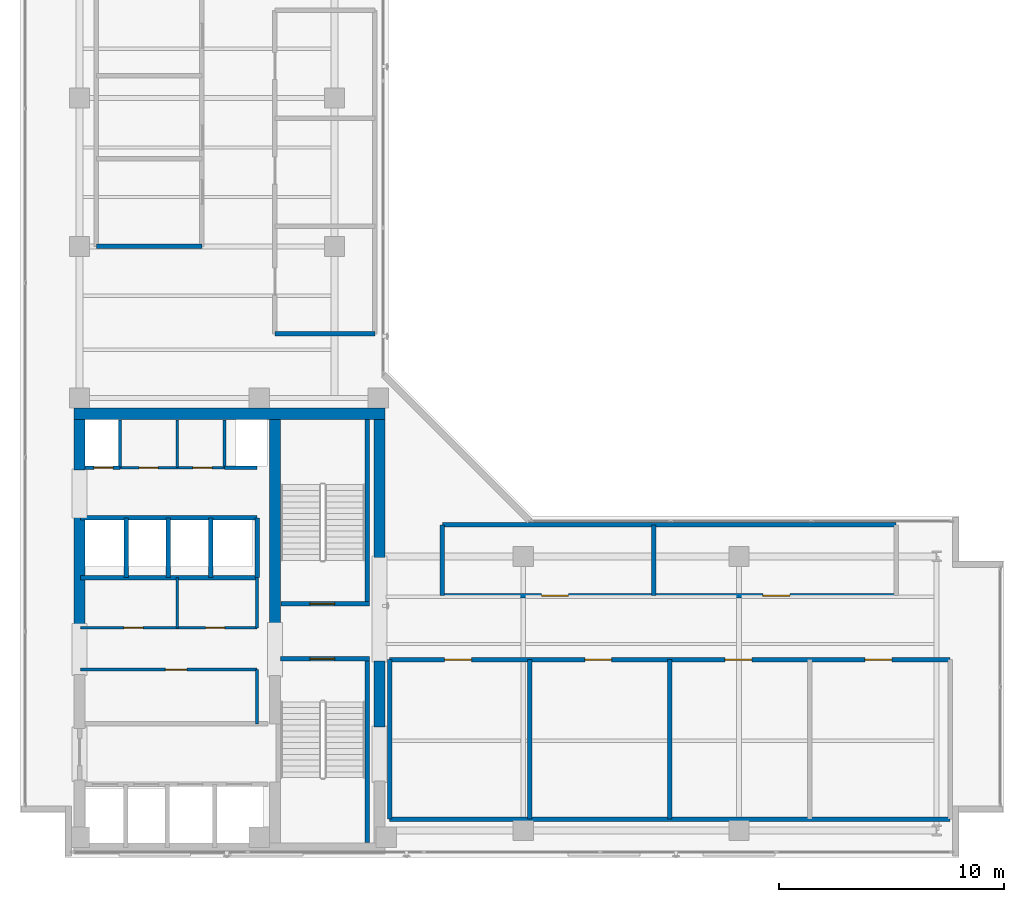
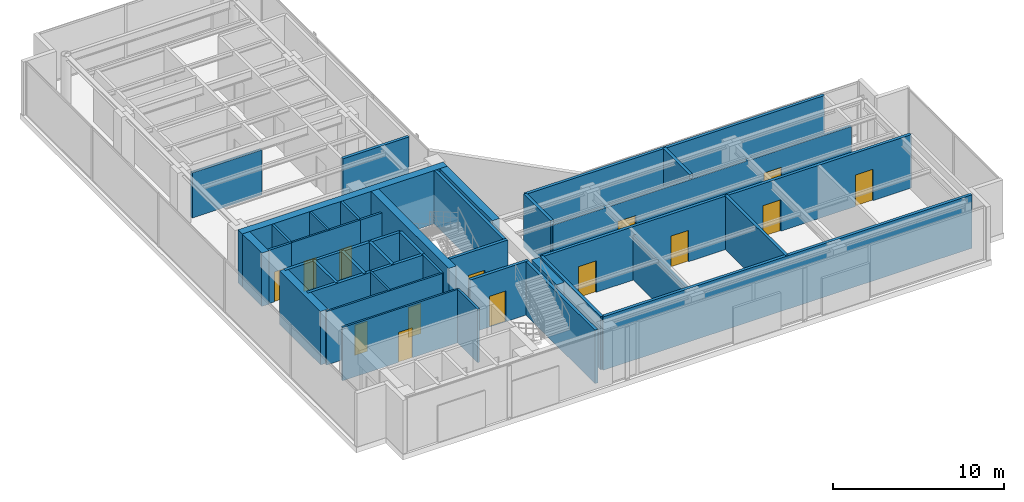
# One storey, part 20 of 24: 38 walls, 14 doors, 14 openings.
"""IFC4 building model written with IfcOpenShell, lengths in metres."""

from ifc_helpers import new_model, si_unit, direction, frame, frame_2d, origin, place, context, subcontext, project, spatial, rectangle, extrude, material, layer, layer_set, type_object, element, fill, save


model = new_model("IFC4")

# Units and contexts
model_context = context("Model", 3, precision=1e-05, world=origin(), true_north=direction((0.0, 1.0)))
body_context = subcontext(model_context, "Body", "Model", "MODEL_VIEW")
ifc_project = project(units=[si_unit("LENGTHUNIT", "METRE"), si_unit("AREAUNIT", "SQUARE_METRE"), si_unit("VOLUMEUNIT", "CUBIC_METRE"), si_unit("PLANEANGLEUNIT", "RADIAN"), si_unit("MASSUNIT", "GRAM", prefix="KILO")], contexts=[model_context])

# Site, building, storey
site_placement = place(None, origin())
site = spatial("IfcSite", under=ifc_project, at=site_placement, CompositionType="ELEMENT")
building_placement = place(site_placement, origin())
building = spatial("IfcBuilding", under=site, at=building_placement, Name="Kolvaren Waterfront Exchange", CompositionType="ELEMENT")
storey_placement = place(building_placement, frame((0.0, 0.0, 356.199951171875)))
storey = spatial("IfcBuildingStorey", under=building, at=storey_placement, Name="L91", CompositionType="ELEMENT", Elevation=356.199951171875)

# Wall, opening, door
ifc_material_1 = material(Name="Precast concrete C40/50", Category="concrete")
ifc_layer_1 = layer(ifc_material_1, 0.199951171875, Name="Precast concrete C40/50")
ifc_layer_set_1 = layer_set([ifc_layer_1], Name="Precast concrete C40/50")
wall_type_1 = type_object("IfcWallType", Name="ARC-FIRE-200", PredefinedType="PARTITIONING", material=ifc_layer_set_1)
wall_1_placement = place(storey_placement, frame((16.39990234375, 12.85009765625, 0.0), z_axis=(0.0, 0.0, 1.0), x_axis=(1.0, 0.0, 0.0)))
wall_1 = element("IfcWall", 1, at=wall_1_placement, inside=storey, type_object=wall_type_1, Name="L91 interior wall PW-L91-ST1-THROAT-S", PredefinedType="PARTITIONING", context=body_context, shape_type="SweptSolid", body=[
    extrude(rectangle(XDim=3.960205078125, YDim=0.199951171875, at=frame_2d((1.97998046875, 0.0))), origin(), (0.0, 0.0, 1.0), 3.820068359375),
])
opening_1_placement = place(wall_1_placement, frame((1.3037109375, 0.0, 0.0)))
opening_1 = element("IfcOpeningElement", 2, at=opening_1_placement, cuts=wall_1, Name="Opening FD2", PredefinedType="OPENING", context=body_context, shape_type="SweptSolid", body=[
    extrude(rectangle(XDim=1.10009765625, YDim=2.199951171875, at=frame_2d((0.550048828125, 1.10009765625))), frame((0.0, 0.10986328125, 0.0), z_axis=(0.0, -1.0, 0.0), x_axis=(1.0, 0.0, 0.0)), (0.0, 0.0, 1.0), 0.219970703125),
])
ifc_material_2 = material(Name="Pressed steel smoke-seal fire door", Category="steel")
door_type_1 = type_object("IfcDoorType", Name="ARC-FD-1100", OperationType="NOTDEFINED", PredefinedType="DOOR", material=ifc_material_2)
door_1_placement = place(opening_1_placement, frame((1.10009765625, 0.0, 0.0), z_axis=(0.0, 0.0, 1.0), x_axis=(-1.0, 0.0, 0.0)))
door_1 = element("IfcDoor", 3, at=door_1_placement, inside=storey, type_object=door_type_1, Name="L91 door DR-L91-ST1-IN (FD2)", OperationType="SINGLE_SWING_RIGHT", OverallHeight=2.199951171875, OverallWidth=1.10009765625, PredefinedType="DOOR", context=body_context, shape_type="SweptSolid", body=[
    extrude(rectangle(XDim=1.10009765625, YDim=2.199951171875, at=frame_2d((0.550048828125, 1.10009765625))), frame((0.0, 0.02490234375, 0.0), z_axis=(0.0, -1.0, 0.0), x_axis=(1.0, 0.0, 0.0)), (0.0, 0.0, 1.0), 0.050048828125),
])
fill(opening_1, door_1)

wall_2_placement = place(storey_placement, frame((16.409912109375, 15.300048828125, 0.0), z_axis=(0.0, 0.0, 1.0), x_axis=(1.0, 0.0, 0.0)))
wall_2 = element("IfcWall", 4, at=wall_2_placement, inside=storey, type_object=wall_type_1, Name="L91 interior wall PW-L91-ST2-THROAT-N", PredefinedType="PARTITIONING", context=body_context, shape_type="SweptSolid", body=[
    extrude(rectangle(XDim=3.9501953125, YDim=0.199951171875, at=frame_2d((1.97509765625, 0.0))), origin(), (0.0, 0.0, 1.0), 3.820068359375),
])
opening_2_placement = place(wall_2_placement, frame((1.293701171875, 0.0, 0.0)))
opening_2 = element("IfcOpeningElement", 5, at=opening_2_placement, cuts=wall_2, Name="Opening FD2", PredefinedType="OPENING", context=body_context, shape_type="SweptSolid", body=[
    extrude(rectangle(XDim=1.10009765625, YDim=2.199951171875, at=frame_2d((0.550048828125, 1.10009765625))), frame((0.0, 0.10986328125, 0.0), z_axis=(0.0, -1.0, 0.0), x_axis=(1.0, 0.0, 0.0)), (0.0, 0.0, 1.0), 0.219970703125),
])
door_2_placement = place(opening_2_placement, origin())
door_2 = element("IfcDoor", 6, at=door_2_placement, inside=storey, type_object=door_type_1, Name="L91 door DR-L91-ST2-IN (FD2)", OperationType="SINGLE_SWING_LEFT", OverallHeight=2.199951171875, OverallWidth=1.10009765625, PredefinedType="DOOR", context=body_context, shape_type="SweptSolid", body=[
    extrude(rectangle(XDim=1.10009765625, YDim=2.199951171875, at=frame_2d((0.550048828125, 1.10009765625))), frame((0.0, 0.02490234375, 0.0), z_axis=(0.0, -1.0, 0.0), x_axis=(1.0, 0.0, 0.0)), (0.0, 0.0, 1.0), 0.050048828125),
])
fill(opening_2, door_2)

# Wall, openings, doors
wall_3_placement = place(storey_placement, frame((23.60009765625, 15.64990234375, 0.0), z_axis=(0.0, 0.0, 1.0), x_axis=(1.0, 0.0, 0.0)))
wall_3 = element("IfcWall", 7, at=wall_3_placement, inside=storey, type_object=wall_type_1, Name="L91 interior wall PW-L91-NEPL-S", PredefinedType="PARTITIONING", context=body_context, shape_type="SweptSolid", body=[
    extrude(rectangle(XDim=20.199951171875, YDim=0.199951171875, at=frame_2d((10.10009765625, 0.0))), origin(), (0.0, 0.0, 1.0), 3.52001953125),
])
opening_3_placement = place(wall_3_placement, frame((4.414306640625, 0.0, 0.0)))
opening_3 = element("IfcOpeningElement", 8, at=opening_3_placement, cuts=wall_3, Name="Opening FD3", PredefinedType="OPENING", context=body_context, shape_type="SweptSolid", body=[
    extrude(rectangle(XDim=1.199951171875, YDim=2.25, at=frame_2d((0.60009765625, 1.125))), frame((0.0, 0.10986328125, 0.0), z_axis=(0.0, -1.0, 0.0), x_axis=(1.0, 0.0, 0.0)), (0.0, 0.0, 1.0), 0.219970703125),
])
opening_4_placement = place(wall_3_placement, frame((14.2705078125, 0.0, 0.0)))
opening_4 = element("IfcOpeningElement", 9, at=opening_4_placement, cuts=wall_3, Name="Opening FD3", PredefinedType="OPENING", context=body_context, shape_type="SweptSolid", body=[
    extrude(rectangle(XDim=1.199951171875, YDim=2.25, at=frame_2d((0.60009765625, 1.125))), frame((0.0, 0.10986328125, 0.0), z_axis=(0.0, -1.0, 0.0), x_axis=(1.0, 0.0, 0.0)), (0.0, 0.0, 1.0), 0.219970703125),
])
ifc_material_3 = material(Name="Pressed steel fire door", Category="steel")
door_type_2 = type_object("IfcDoorType", Name="ARC-FD-1200", OperationType="NOTDEFINED", PredefinedType="DOOR", material=ifc_material_3)
door_3_placement = place(opening_3_placement, origin())
door_3 = element("IfcDoor", 10, at=door_3_placement, inside=storey, type_object=door_type_2, Name="L91 door DR-L91-NEPL1-D (FD3)", OperationType="SINGLE_SWING_LEFT", OverallHeight=2.25, OverallWidth=1.199951171875, PredefinedType="DOOR", context=body_context, shape_type="SweptSolid", body=[
    extrude(rectangle(XDim=1.199951171875, YDim=2.25, at=frame_2d((0.60009765625, 1.125))), frame((0.0, 0.02490234375, 0.0), z_axis=(0.0, -1.0, 0.0), x_axis=(1.0, 0.0, 0.0)), (0.0, 0.0, 1.0), 0.050048828125),
])
fill(opening_3, door_3)
door_4_placement = place(opening_4_placement, origin())
door_4 = element("IfcDoor", 11, at=door_4_placement, inside=storey, type_object=door_type_2, Name="L91 door DR-L91-NEPL2-D (FD3)", OperationType="SINGLE_SWING_RIGHT", OverallHeight=2.25, OverallWidth=1.199951171875, PredefinedType="DOOR", context=body_context, shape_type="SweptSolid", body=[
    extrude(rectangle(XDim=1.199951171875, YDim=2.25, at=frame_2d((0.60009765625, 1.125))), frame((0.0, 0.02490234375, 0.0), z_axis=(0.0, -1.0, 0.0), x_axis=(1.0, 0.0, 0.0)), (0.0, 0.0, 1.0), 0.050048828125),
])
fill(opening_4, door_4)

# Walls
wall_4_placement = place(storey_placement, frame((23.60009765625, 15.64990234375, 0.0), z_axis=(0.0, 0.0, 1.0), x_axis=(0.0, 1.0, 0.0)))
element("IfcWall", 12, at=wall_4_placement, inside=storey, type_object=wall_type_1, Name="L91 interior wall PW-L91-NEPL-W", PredefinedType="PARTITIONING", context=body_context, shape_type="SweptSolid", body=[
    extrude(rectangle(XDim=3.150146484375, YDim=0.199951171875, at=frame_2d((1.5751953125, 0.0))), origin(), (0.0, 0.0, 1.0), 3.820068359375),
])
wall_5_placement = place(storey_placement, frame((23.60009765625, 18.800048828125, 0.0), z_axis=(0.0, 0.0, 1.0), x_axis=(1.0, 0.0, 0.0)))
element("IfcWall", 13, at=wall_5_placement, inside=storey, type_object=wall_type_1, Name="L91 interior wall PW-L91-NEPL-N", PredefinedType="PARTITIONING", context=body_context, shape_type="SweptSolid", body=[
    extrude(rectangle(XDim=20.199951171875, YDim=0.199951171875, at=frame_2d((10.10009765625, 0.0))), origin(), (0.0, 0.0, 1.0), 3.820068359375),
])
wall_6_placement = place(storey_placement, frame((33.0, 15.64990234375, 0.0), z_axis=(0.0, 0.0, 1.0), x_axis=(0.0, 1.0, 0.0)))
element("IfcWall", 14, at=wall_6_placement, inside=storey, type_object=wall_type_1, Name="L91 interior wall PW-L91-NEPL-M", PredefinedType="PARTITIONING", context=body_context, shape_type="SweptSolid", body=[
    extrude(rectangle(XDim=3.150146484375, YDim=0.199951171875, at=frame_2d((1.5751953125, 0.0))), origin(), (0.0, 0.0, 1.0), 3.820068359375),
])

# Wall, openings, doors
wall_7_placement = place(storey_placement, frame((21.25, 12.800048828125, 0.0), z_axis=(0.0, 0.0, 1.0), x_axis=(1.0, 0.0, 0.0)))
wall_7 = element("IfcWall", 15, at=wall_7_placement, inside=storey, type_object=wall_type_1, Name="L91 interior wall PW-L91-PL-N1", PredefinedType="PARTITIONING", context=body_context, shape_type="SweptSolid", body=[
    extrude(rectangle(XDim=24.949951171875, YDim=0.199951171875, at=frame_2d((12.47509765625, 0.0))), origin(), (0.0, 0.0, 1.0), 3.820068359375),
])
opening_5_placement = place(wall_7_placement, frame((2.448486328125, 0.0, 0.0)))
opening_5 = element("IfcOpeningElement", 16, at=opening_5_placement, cuts=wall_7, Name="Opening FD3", PredefinedType="OPENING", context=body_context, shape_type="SweptSolid", body=[
    extrude(rectangle(XDim=1.199951171875, YDim=2.25, at=frame_2d((0.60009765625, 1.125))), frame((0.0, 0.10986328125, 0.0), z_axis=(0.0, -1.0, 0.0), x_axis=(1.0, 0.0, 0.0)), (0.0, 0.0, 1.0), 0.219970703125),
])
opening_6_placement = place(wall_7_placement, frame((8.688720703125, 0.0, 0.0)))
opening_6 = element("IfcOpeningElement", 17, at=opening_6_placement, cuts=wall_7, Name="Opening FD3", PredefinedType="OPENING", context=body_context, shape_type="SweptSolid", body=[
    extrude(rectangle(XDim=1.199951171875, YDim=2.25, at=frame_2d((0.60009765625, 1.125))), frame((0.0, 0.10986328125, 0.0), z_axis=(0.0, -1.0, 0.0), x_axis=(1.0, 0.0, 0.0)), (0.0, 0.0, 1.0), 0.219970703125),
])
opening_7_placement = place(wall_7_placement, frame((14.923828125, 0.0, 0.0)))
opening_7 = element("IfcOpeningElement", 18, at=opening_7_placement, cuts=wall_7, Name="Opening FD3", PredefinedType="OPENING", context=body_context, shape_type="SweptSolid", body=[
    extrude(rectangle(XDim=1.199951171875, YDim=2.25, at=frame_2d((0.60009765625, 1.125))), frame((0.0, 0.10986328125, 0.0), z_axis=(0.0, -1.0, 0.0), x_axis=(1.0, 0.0, 0.0)), (0.0, 0.0, 1.0), 0.219970703125),
])
opening_8_placement = place(wall_7_placement, frame((21.15869140625, 0.0, 0.0)))
opening_8 = element("IfcOpeningElement", 19, at=opening_8_placement, cuts=wall_7, Name="Opening FD3", PredefinedType="OPENING", context=body_context, shape_type="SweptSolid", body=[
    extrude(rectangle(XDim=1.199951171875, YDim=2.25, at=frame_2d((0.60009765625, 1.125))), frame((0.0, 0.10986328125, 0.0), z_axis=(0.0, -1.0, 0.0), x_axis=(1.0, 0.0, 0.0)), (0.0, 0.0, 1.0), 0.219970703125),
])
door_5_placement = place(opening_5_placement, origin())
door_5 = element("IfcDoor", 20, at=door_5_placement, inside=storey, type_object=door_type_2, Name="L91 door DR-L91-PLES-D1 (FD3)", OperationType="SINGLE_SWING_LEFT", OverallHeight=2.25, OverallWidth=1.199951171875, PredefinedType="DOOR", context=body_context, shape_type="SweptSolid", body=[
    extrude(rectangle(XDim=1.199951171875, YDim=2.25, at=frame_2d((0.60009765625, 1.125))), frame((0.0, 0.02490234375, 0.0), z_axis=(0.0, -1.0, 0.0), x_axis=(1.0, 0.0, 0.0)), (0.0, 0.0, 1.0), 0.050048828125),
])
fill(opening_5, door_5)
door_6_placement = place(opening_6_placement, origin())
door_6 = element("IfcDoor", 21, at=door_6_placement, inside=storey, type_object=door_type_2, Name="L91 door DR-L91-PLES-D2 (FD3)", OperationType="SINGLE_SWING_RIGHT", OverallHeight=2.25, OverallWidth=1.199951171875, PredefinedType="DOOR", context=body_context, shape_type="SweptSolid", body=[
    extrude(rectangle(XDim=1.199951171875, YDim=2.25, at=frame_2d((0.60009765625, 1.125))), frame((0.0, 0.02490234375, 0.0), z_axis=(0.0, -1.0, 0.0), x_axis=(1.0, 0.0, 0.0)), (0.0, 0.0, 1.0), 0.050048828125),
])
fill(opening_6, door_6)
door_7_placement = place(opening_7_placement, origin())
door_7 = element("IfcDoor", 22, at=door_7_placement, inside=storey, type_object=door_type_2, Name="L91 door DR-L91-PLES-D3 (FD3)", OperationType="SINGLE_SWING_LEFT", OverallHeight=2.25, OverallWidth=1.199951171875, PredefinedType="DOOR", context=body_context, shape_type="SweptSolid", body=[
    extrude(rectangle(XDim=1.199951171875, YDim=2.25, at=frame_2d((0.60009765625, 1.125))), frame((0.0, 0.02490234375, 0.0), z_axis=(0.0, -1.0, 0.0), x_axis=(1.0, 0.0, 0.0)), (0.0, 0.0, 1.0), 0.050048828125),
])
fill(opening_7, door_7)
door_8_placement = place(opening_8_placement, origin())
door_8 = element("IfcDoor", 23, at=door_8_placement, inside=storey, type_object=door_type_2, Name="L91 door DR-L91-PLES-D4 (FD3)", OperationType="SINGLE_SWING_RIGHT", OverallHeight=2.25, OverallWidth=1.199951171875, PredefinedType="DOOR", context=body_context, shape_type="SweptSolid", body=[
    extrude(rectangle(XDim=1.199951171875, YDim=2.25, at=frame_2d((0.60009765625, 1.125))), frame((0.0, 0.02490234375, 0.0), z_axis=(0.0, -1.0, 0.0), x_axis=(1.0, 0.0, 0.0)), (0.0, 0.0, 1.0), 0.050048828125),
])
fill(opening_8, door_8)

# Walls
wall_8_placement = place(storey_placement, frame((21.25, 5.699951171875, 0.0), z_axis=(0.0, 0.0, 1.0), x_axis=(0.0, 1.0, 0.0)))
element("IfcWall", 24, at=wall_8_placement, inside=storey, type_object=wall_type_1, Name="L91 interior wall PW-L91-PL-W1", PredefinedType="PARTITIONING", context=body_context, shape_type="SweptSolid", body=[
    extrude(rectangle(XDim=7.10009765625, YDim=0.199951171875, at=frame_2d((3.550048828125, 0.0))), origin(), (0.0, 0.0, 1.0), 3.820068359375),
])
wall_9_placement = place(storey_placement, frame((21.25, 5.699951171875, 0.0), z_axis=(0.0, 0.0, 1.0), x_axis=(1.0, 0.0, 0.0)))
element("IfcWall", 25, at=wall_9_placement, inside=storey, type_object=wall_type_1, Name="L91 interior wall PW-L91-PL-S1", PredefinedType="PARTITIONING", context=body_context, shape_type="SweptSolid", body=[
    extrude(rectangle(XDim=24.949951171875, YDim=0.199951171875, at=frame_2d((12.47509765625, 0.0))), origin(), (0.0, 0.0, 1.0), 3.820068359375),
])
wall_10_placement = place(storey_placement, frame((27.489990234375, 5.699951171875, 0.0), z_axis=(0.0, 0.0, 1.0), x_axis=(0.0, 1.0, 0.0)))
element("IfcWall", 26, at=wall_10_placement, inside=storey, type_object=wall_type_1, Name="L91 interior wall PW-L91-PL-M1-1", PredefinedType="PARTITIONING", context=body_context, shape_type="SweptSolid", body=[
    extrude(rectangle(XDim=7.10009765625, YDim=0.199951171875, at=frame_2d((3.550048828125, 0.0))), origin(), (0.0, 0.0, 1.0), 3.219970703125),
])
wall_11_placement = place(storey_placement, frame((33.72998046875, 5.699951171875, 0.0), z_axis=(0.0, 0.0, 1.0), x_axis=(0.0, 1.0, 0.0)))
element("IfcWall", 27, at=wall_11_placement, inside=storey, type_object=wall_type_1, Name="L91 interior wall PW-L91-PL-M1-2", PredefinedType="PARTITIONING", context=body_context, shape_type="SweptSolid", body=[
    extrude(rectangle(XDim=7.10009765625, YDim=0.199951171875, at=frame_2d((3.550048828125, 0.0))), origin(), (0.0, 0.0, 1.0), 3.820068359375),
])
wall_12_placement = place(storey_placement, frame((8.199951171875, 31.199951171875, 0.0), z_axis=(0.0, 0.0, 1.0), x_axis=(1.0, 0.0, 0.0)))
element("IfcWall", 28, at=wall_12_placement, inside=storey, type_object=wall_type_1, Name="L91 interior wall PW-L91-PL-S3", PredefinedType="PARTITIONING", context=body_context, shape_type="SweptSolid", body=[
    extrude(rectangle(XDim=4.699951171875, YDim=0.199951171875, at=frame_2d((2.35009765625, 0.0))), origin(), (0.0, 0.0, 1.0), 3.219970703125),
])
wall_13_placement = place(storey_placement, frame((16.14990234375, 27.300048828125, 0.0), z_axis=(0.0, 0.0, 1.0), x_axis=(1.0, 0.0, 0.0)))
element("IfcWall", 29, at=wall_13_placement, inside=storey, type_object=wall_type_1, Name="L91 interior wall PW-L91-PL-S4", PredefinedType="PARTITIONING", context=body_context, shape_type="SweptSolid", body=[
    extrude(rectangle(XDim=4.4501953125, YDim=0.199951171875, at=frame_2d((2.22509765625, 0.0))), origin(), (0.0, 0.0, 1.0), 3.820068359375),
])

# Wall, opening, door
ifc_material_4 = material(Name="Acoustic gypsum steel stud", Category="steel")
ifc_layer_2 = layer(ifc_material_4, 0.125, Name="Acoustic gypsum steel stud")
ifc_layer_set_2 = layer_set([ifc_layer_2], Name="Acoustic gypsum steel stud")
wall_type_2 = type_object("IfcWallType", Name="ARC-PART-125", PredefinedType="PARTITIONING", material=ifc_layer_set_2)
wall_14_placement = place(storey_placement, frame((7.5, 12.360107421875, 0.0), z_axis=(0.0, 0.0, 1.0), x_axis=(1.0, 0.0, 0.0)))
wall_14 = element("IfcWall", 30, at=wall_14_placement, inside=storey, type_object=wall_type_2, Name="L91 interior wall PW-L91-REC-HI-S", PredefinedType="PARTITIONING", context=body_context, shape_type="SweptSolid", body=[
    extrude(rectangle(XDim=7.85009765625, YDim=0.125, at=frame_2d((3.925048828125, 0.0))), origin(), (0.0, 0.0, 1.0), 3.820068359375),
])
opening_9_placement = place(wall_14_placement, frame((3.77490234375, 0.0, 0.0)))
opening_9 = element("IfcOpeningElement", 31, at=opening_9_placement, cuts=wall_14, Name="Opening D02", PredefinedType="OPENING", context=body_context, shape_type="SweptSolid", body=[
    extrude(rectangle(XDim=0.949951171875, YDim=2.14990234375, at=frame_2d((0.47509765625, 1.074951171875))), frame((0.0, 0.072509765625, 0.0), z_axis=(0.0, -1.0, 0.0), x_axis=(1.0, 0.0, 0.0)), (0.0, 0.0, 1.0), 0.14501953125),
])
ifc_material_5 = material(Name="Oak veneer acoustic timber", Category="wood")
door_type_3 = type_object("IfcDoorType", Name="ARC-DR-950", OperationType="NOTDEFINED", PredefinedType="DOOR", material=ifc_material_5)
door_9_placement = place(opening_9_placement, origin())
door_9 = element("IfcDoor", 32, at=door_9_placement, inside=storey, type_object=door_type_3, Name="L91 door DR-L91-REC-HI-D1 (D02)", OperationType="SINGLE_SWING_LEFT", OverallHeight=2.14990234375, OverallWidth=0.949951171875, PredefinedType="DOOR", context=body_context, shape_type="SweptSolid", body=[
    extrude(rectangle(XDim=0.949951171875, YDim=2.14990234375, at=frame_2d((0.47509765625, 1.074951171875))), frame((0.0, 0.02490234375, 0.0), z_axis=(0.0, -1.0, 0.0), x_axis=(1.0, 0.0, 0.0)), (0.0, 0.0, 1.0), 0.050048828125),
])
fill(opening_9, door_9)

# Wall, openings, doors
wall_15_placement = place(storey_placement, frame((7.5, 14.219970703125, 0.0), z_axis=(0.0, 0.0, 1.0), x_axis=(1.0, 0.0, 0.0)))
wall_15 = element("IfcWall", 33, at=wall_15_placement, inside=storey, type_object=wall_type_2, Name="L91 interior wall PW-L91-REC-HI-N", PredefinedType="PARTITIONING", context=body_context, shape_type="SweptSolid", body=[
    extrude(rectangle(XDim=7.85009765625, YDim=0.125, at=frame_2d((3.925048828125, 0.0))), origin(), (0.0, 0.0, 1.0), 3.820068359375),
])
opening_10_placement = place(wall_15_placement, frame((1.925048828125, 0.0, 0.0)))
opening_10 = element("IfcOpeningElement", 34, at=opening_10_placement, cuts=wall_15, Name="Opening D01", PredefinedType="OPENING", context=body_context, shape_type="SweptSolid", body=[
    extrude(rectangle(XDim=0.85009765625, YDim=2.14990234375, at=frame_2d((0.425048828125, 1.074951171875))), frame((0.0, 0.072509765625, 0.0), z_axis=(0.0, -1.0, 0.0), x_axis=(1.0, 0.0, 0.0)), (0.0, 0.0, 1.0), 0.14501953125),
])
opening_11_placement = place(wall_15_placement, frame((5.56298828125, 0.0, 0.0)))
opening_11 = element("IfcOpeningElement", 35, at=opening_11_placement, cuts=wall_15, Name="Opening D01", PredefinedType="OPENING", context=body_context, shape_type="SweptSolid", body=[
    extrude(rectangle(XDim=0.85009765625, YDim=2.14990234375, at=frame_2d((0.425048828125, 1.074951171875))), frame((0.0, 0.072509765625, 0.0), z_axis=(0.0, -1.0, 0.0), x_axis=(1.0, 0.0, 0.0)), (0.0, 0.0, 1.0), 0.14501953125),
])
ifc_material_6 = material(Name="Oak veneer timber leaf", Category="wood")
door_type_4 = type_object("IfcDoorType", Name="ARC-DR-900", OperationType="NOTDEFINED", PredefinedType="DOOR", material=ifc_material_6)
door_10_placement = place(opening_10_placement, origin())
door_10 = element("IfcDoor", 36, at=door_10_placement, inside=storey, type_object=door_type_4, Name="L91 door DR-L91-REC-HI-D2 (D01)", OperationType="SINGLE_SWING_RIGHT", OverallHeight=2.14990234375, OverallWidth=0.85009765625, PredefinedType="DOOR", context=body_context, shape_type="SweptSolid", body=[
    extrude(rectangle(XDim=0.85009765625, YDim=2.14990234375, at=frame_2d((0.425048828125, 1.074951171875))), frame((0.0, 0.02490234375, 0.0), z_axis=(0.0, -1.0, 0.0), x_axis=(1.0, 0.0, 0.0)), (0.0, 0.0, 1.0), 0.050048828125),
])
fill(opening_10, door_10)
door_11_placement = place(opening_11_placement, origin())
door_11 = element("IfcDoor", 37, at=door_11_placement, inside=storey, type_object=door_type_4, Name="L91 door DR-L91-REC-HI-D3 (D01)", OperationType="SINGLE_SWING_LEFT", OverallHeight=2.14990234375, OverallWidth=0.85009765625, PredefinedType="DOOR", context=body_context, shape_type="SweptSolid", body=[
    extrude(rectangle(XDim=0.85009765625, YDim=2.14990234375, at=frame_2d((0.425048828125, 1.074951171875))), frame((0.0, 0.02490234375, 0.0), z_axis=(0.0, -1.0, 0.0), x_axis=(1.0, 0.0, 0.0)), (0.0, 0.0, 1.0), 0.050048828125),
])
fill(opening_11, door_11)

# Wall
wall_16_placement = place(storey_placement, frame((11.800048828125, 14.219970703125, 0.0), z_axis=(0.0, 0.0, 1.0), x_axis=(0.0, 1.0, 0.0)))
element("IfcWall", 38, at=wall_16_placement, inside=storey, type_object=wall_type_2, Name="L91 interior wall PW-L91-REC-HI-MN2", PredefinedType="PARTITIONING", context=body_context, shape_type="SweptSolid", body=[
    extrude(rectangle(XDim=2.22998046875, YDim=0.125, at=frame_2d((1.114990234375, 0.0))), origin(), (0.0, 0.0, 1.0), 3.820068359375),
])

# Wall, openings, doors
wall_17_placement = place(storey_placement, frame((9.25, 21.35009765625, 0.0), z_axis=(0.0, 0.0, 1.0), x_axis=(1.0, 0.0, 0.0)))
wall_17 = element("IfcWall", 39, at=wall_17_placement, inside=storey, type_object=wall_type_2, Name="L91 interior wall PW-L91-SVC-EX-S", PredefinedType="PARTITIONING", context=body_context, shape_type="SweptSolid", body=[
    extrude(rectangle(XDim=4.64990234375, YDim=0.125, at=frame_2d((2.324951171875, 0.0))), origin(), (0.0, 0.0, 1.0), 3.820068359375),
])
opening_12_placement = place(wall_17_placement, frame((0.85009765625, 0.0, 0.0)))
opening_12 = element("IfcOpeningElement", 40, at=opening_12_placement, cuts=wall_17, Name="Opening D01", PredefinedType="OPENING", context=body_context, shape_type="SweptSolid", body=[
    extrude(rectangle(XDim=0.85009765625, YDim=2.14990234375, at=frame_2d((0.425048828125, 1.074951171875))), frame((0.0, 0.072509765625, 0.0), z_axis=(0.0, -1.0, 0.0), x_axis=(1.0, 0.0, 0.0)), (0.0, 0.0, 1.0), 0.14501953125),
])
opening_13_placement = place(wall_17_placement, frame((3.25, 0.0, 0.0)))
opening_13 = element("IfcOpeningElement", 41, at=opening_13_placement, cuts=wall_17, Name="Opening D01", PredefinedType="OPENING", context=body_context, shape_type="SweptSolid", body=[
    extrude(rectangle(XDim=0.85009765625, YDim=2.14990234375, at=frame_2d((0.425048828125, 1.074951171875))), frame((0.0, 0.072509765625, 0.0), z_axis=(0.0, -1.0, 0.0), x_axis=(1.0, 0.0, 0.0)), (0.0, 0.0, 1.0), 0.14501953125),
])
door_12_placement = place(opening_12_placement, origin())
door_12 = element("IfcDoor", 42, at=door_12_placement, inside=storey, type_object=door_type_4, Name="L91 door DR-L91-SVC-DR-1 (D01)", OperationType="SINGLE_SWING_LEFT", OverallHeight=2.14990234375, OverallWidth=0.85009765625, PredefinedType="DOOR", context=body_context, shape_type="SweptSolid", body=[
    extrude(rectangle(XDim=0.85009765625, YDim=2.14990234375, at=frame_2d((0.425048828125, 1.074951171875))), frame((0.0, 0.02490234375, 0.0), z_axis=(0.0, -1.0, 0.0), x_axis=(1.0, 0.0, 0.0)), (0.0, 0.0, 1.0), 0.050048828125),
])
fill(opening_12, door_12)
door_13_placement = place(opening_13_placement, origin())
door_13 = element("IfcDoor", 43, at=door_13_placement, inside=storey, type_object=door_type_4, Name="L91 door DR-L91-SVC-DR-2 (D01)", OperationType="SINGLE_SWING_RIGHT", OverallHeight=2.14990234375, OverallWidth=0.85009765625, PredefinedType="DOOR", context=body_context, shape_type="SweptSolid", body=[
    extrude(rectangle(XDim=0.85009765625, YDim=2.14990234375, at=frame_2d((0.425048828125, 1.074951171875))), frame((0.0, 0.02490234375, 0.0), z_axis=(0.0, -1.0, 0.0), x_axis=(1.0, 0.0, 0.0)), (0.0, 0.0, 1.0), 0.050048828125),
])
fill(opening_13, door_13)

# Walls
wall_18_placement = place(storey_placement, frame((11.800048828125, 21.35009765625, 0.0), z_axis=(0.0, 0.0, 1.0), x_axis=(0.0, 1.0, 0.0)))
element("IfcWall", 44, at=wall_18_placement, inside=storey, type_object=wall_type_2, Name="L91 interior wall PW-L91-SVC-PL-M", PredefinedType="PARTITIONING", context=body_context, shape_type="SweptSolid", body=[
    extrude(rectangle(XDim=2.1298828125, YDim=0.125, at=frame_2d((1.06494140625, 0.0))), origin(), (0.0, 0.0, 1.0), 3.820068359375),
])
ifc_material_7 = material(Name="Gypsum fireboard steel stud", Category="steel")
ifc_layer_3 = layer(ifc_material_7, 0.14990234375, Name="Gypsum fireboard steel stud")
ifc_layer_set_3 = layer_set([ifc_layer_3], Name="Gypsum fireboard steel stud")
wall_type_3 = type_object("IfcWallType", Name="ARC-PART-150", PredefinedType="PARTITIONING", material=ifc_layer_set_3)
wall_19_placement = place(storey_placement, frame((15.35009765625, 9.949951171875, 0.0), z_axis=(0.0, 0.0, 1.0), x_axis=(0.0, 1.0, 0.0)))
element("IfcWall", 45, at=wall_19_placement, inside=storey, type_object=wall_type_3, Name="L91 interior wall PW-L91-REC-HI-E1", PredefinedType="PARTITIONING", context=body_context, shape_type="SweptSolid", body=[
    extrude(rectangle(XDim=2.41015625, YDim=0.14990234375, at=frame_2d((1.205078125, 0.0))), origin(), (0.0, 0.0, 1.0), 3.820068359375),
])
wall_20_placement = place(storey_placement, frame((15.35009765625, 14.219970703125, 0.0), z_axis=(0.0, 0.0, 1.0), x_axis=(0.0, 1.0, 0.0)))
element("IfcWall", 46, at=wall_20_placement, inside=storey, type_object=wall_type_3, Name="L91 interior wall PW-L91-REC-HI-E2", PredefinedType="PARTITIONING", context=body_context, shape_type="SweptSolid", body=[
    extrude(rectangle(XDim=2.22998046875, YDim=0.14990234375, at=frame_2d((1.114990234375, 0.0))), origin(), (0.0, 0.0, 1.0), 3.820068359375),
])
for number, where, z_axis, x_axis, name in (
    (47, (9.25, 21.35009765625, 0.0), (0.0, 0.0, 1.0), (0.0, 1.0, 0.0), "L91 interior wall PW-L91-SVC-R1"),
    (48, (13.89990234375, 21.35009765625, 0.0), (0.0, 0.0, 1.0), (0.0, 1.0, 0.0), "L91 interior wall PW-L91-SVC-R2"),
):
    element("IfcWall", number, at=place(storey_placement, frame(where, z_axis=z_axis, x_axis=x_axis)), inside=storey, type_object=wall_type_3, Name=name, PredefinedType="PARTITIONING", context=body_context, shape_type="SweptSolid", body=[
        extrude(rectangle(XDim=2.1298828125, YDim=0.14990234375, at=frame_2d((1.06494140625, 0.0))), origin(), (0.0, 0.0, 1.0), 3.820068359375),
    ])

# Wall, opening, door
wall_21_placement = place(storey_placement, frame((7.699951171875, 21.35009765625, 0.0), z_axis=(0.0, 0.0, 1.0), x_axis=(1.0, 0.0, 0.0)))
wall_21 = element("IfcWall", 49, at=wall_21_placement, inside=storey, type_object=wall_type_3, Name="L91 interior wall PW-L91-SVC-RE-S", PredefinedType="PARTITIONING", context=body_context, shape_type="SweptSolid", body=[
    extrude(rectangle(XDim=1.550048828125, YDim=0.14990234375, at=frame_2d((0.77490234375, 0.0))), origin(), (0.0, 0.0, 1.0), 3.820068359375),
])
opening_14_placement = place(wall_21_placement, frame((0.389892578125, 0.0, 0.0)))
opening_14 = element("IfcOpeningElement", 50, at=opening_14_placement, cuts=wall_21, Name="Opening FD1", PredefinedType="OPENING", context=body_context, shape_type="SweptSolid", body=[
    extrude(rectangle(XDim=0.85009765625, YDim=2.14990234375, at=frame_2d((0.425048828125, 1.074951171875))), frame((0.0, 0.0849609375, 0.0), z_axis=(0.0, -1.0, 0.0), x_axis=(1.0, 0.0, 0.0)), (0.0, 0.0, 1.0), 0.169921875),
])
ifc_material_8 = material(Name="Pressed steel fire leaf", Category="steel")
door_type_5 = type_object("IfcDoorType", Name="ARC-FD-900", OperationType="NOTDEFINED", PredefinedType="DOOR", material=ifc_material_8)
door_14_placement = place(opening_14_placement, origin())
door_14 = element("IfcDoor", 51, at=door_14_placement, inside=storey, type_object=door_type_5, Name="L91 door DR-L91-RISER-E-DR (FD1)", OperationType="SINGLE_SWING_RIGHT", OverallHeight=2.14990234375, OverallWidth=0.85009765625, PredefinedType="DOOR", context=body_context, shape_type="SweptSolid", body=[
    extrude(rectangle(XDim=0.85009765625, YDim=2.14990234375, at=frame_2d((0.425048828125, 1.074951171875))), frame((0.0, 0.02490234375, 0.0), z_axis=(0.0, -1.0, 0.0), x_axis=(1.0, 0.0, 0.0)), (0.0, 0.0, 1.0), 0.050048828125),
])
fill(opening_14, door_14)

# Walls
wall_22_placement = place(storey_placement, frame((13.89990234375, 21.35009765625, 0.0), z_axis=(0.0, 0.0, 1.0), x_axis=(1.0, 0.0, 0.0)))
element("IfcWall", 52, at=wall_22_placement, inside=storey, type_object=wall_type_3, Name="L91 interior wall PW-L91-SVC-RP-S", PredefinedType="PARTITIONING", context=body_context, shape_type="SweptSolid", body=[
    extrude(rectangle(XDim=1.4501953125, YDim=0.14990234375, at=frame_2d((0.72509765625, 0.0))), origin(), (0.0, 0.0, 1.0), 3.820068359375),
])
ifc_material_9 = material(Name="Concrete C40/50", Category="concrete")
ifc_layer_4 = layer(ifc_material_9, 0.199951171875, Name="Concrete C40/50")
ifc_layer_set_4 = layer_set([ifc_layer_4], Name="Concrete C40/50")
wall_type_4 = type_object("IfcWallType", Name="ARC-SHAFT-200", PredefinedType="PARTITIONING", material=ifc_layer_set_4)
for number, where, z_axis, x_axis, name in (
    (53, (20.260009765625, 4.659912109375, 0.0), (0.0, 0.0, 1.0), (0.0, 1.0, 0.0), "L91 structural stairwell wall PW-L91-ST1-E"),
    (54, (20.260009765625, 15.39990234375, 0.0), (0.0, 0.0, 1.0), (0.0, 1.0, 0.0), "L91 structural stairwell wall PW-L91-ST2-E"),
):
    element("IfcWall", number, at=place(storey_placement, frame(where, z_axis=z_axis, x_axis=x_axis)), inside=storey, type_object=wall_type_4, Name=name, PredefinedType="SHEAR", context=body_context, shape_type="SweptSolid", body=[
        extrude(rectangle(XDim=8.090087890625, YDim=0.199951171875, at=frame_2d((4.044921875, 0.0))), origin(), (0.0, 0.0, 1.0), 3.820068359375),
    ])
for number, where, z_axis, x_axis, name in (
    (55, (7.5, 16.449951171875, 0.0), (0.0, 0.0, 1.0), (1.0, 0.0, 0.0), "L91 interior wall PW-L91-REC-PM-N"),
    (56, (7.5, 19.1201171875, 0.0), (0.0, 0.0, 1.0), (1.0, 0.0, 0.0), "L91 interior wall PW-L91-PH-N"),
):
    element("IfcWall", number, at=place(storey_placement, frame(where, z_axis=z_axis, x_axis=x_axis)), inside=storey, type_object=wall_type_4, Name=name, PredefinedType="PARTITIONING", context=body_context, shape_type="SweptSolid", body=[
        extrude(rectangle(XDim=7.85009765625, YDim=0.199951171875, at=frame_2d((3.925048828125, 0.0))), origin(), (0.0, 0.0, 1.0), 3.820068359375),
    ])
for number, where, z_axis, x_axis, name in (
    (57, (15.35009765625, 16.449951171875, 0.0), (0.0, 0.0, 1.0), (0.0, 1.0, 0.0), "L91 interior wall PW-L91-PH-E"),
    (58, (9.52001953125, 16.449951171875, 0.0), (0.0, 0.0, 1.0), (0.0, 1.0, 0.0), "L91 interior wall PW-L91-SH4-DIV-95"),
    (59, (11.409912109375, 16.449951171875, 0.0), (0.0, 0.0, 1.0), (0.0, 1.0, 0.0), "L91 interior wall PW-L91-SH4-DIV-114"),
    (60, (13.300048828125, 16.449951171875, 0.0), (0.0, 0.0, 1.0), (0.0, 1.0, 0.0), "L91 interior wall PW-L91-SH4-DIV-133"),
):
    element("IfcWall", number, at=place(storey_placement, frame(where, z_axis=z_axis, x_axis=x_axis)), inside=storey, type_object=wall_type_4, Name=name, PredefinedType="PARTITIONING", context=body_context, shape_type="SweptSolid", body=[
        extrude(rectangle(XDim=2.670166015625, YDim=0.199951171875, at=frame_2d((1.3349609375, 0.0))), origin(), (0.0, 0.0, 1.0), 3.820068359375),
    ])
ifc_material_10 = material(Name="Concrete C50/60", Category="concrete")
ifc_layer_5 = layer(ifc_material_10, 0.5, Name="Concrete C50/60")
ifc_layer_set_5 = layer_set([ifc_layer_5], Name="Concrete C50/60")
wall_type_5 = type_object("IfcWallType", Name="STR-CWALL-500", PredefinedType="SHEAR", material=ifc_layer_set_5)
wall_23_placement = place(storey_placement, frame((7.199951171875, 23.75, 0.0), z_axis=(0.0, 0.0, 1.0), x_axis=(1.0, 0.0, 0.0)))
element("IfcWall", 61, at=wall_23_placement, inside=storey, type_object=wall_type_5, Name="L91 rear-core shear wall N", PredefinedType="SHEAR", context=body_context, shape_type="SweptSolid", body=[
    extrude(rectangle(XDim=13.85009765625, YDim=0.5, at=frame_2d((6.925048828125, 0.0))), origin(), (0.0, 0.0, 1.0), 3.820068359375),
])
wall_24_placement = place(storey_placement, frame((7.449951171875, 14.35009765625, 0.0), z_axis=(0.0, 0.0, 1.0), x_axis=(0.0, 1.0, 0.0)))
element("IfcWall", 62, at=wall_24_placement, inside=storey, type_object=wall_type_5, Name="L91 rear-core shear wall W2B", PredefinedType="SHEAR", context=body_context, shape_type="SweptSolid", body=[
    extrude(rectangle(XDim=4.809814453125, YDim=0.5, at=frame_2d((2.40478515625, 0.0))), origin(), (0.0, 0.0, 1.0), 3.820068359375),
])
wall_25_placement = place(storey_placement, frame((7.449951171875, 21.239990234375, 0.0), z_axis=(0.0, 0.0, 1.0), x_axis=(0.0, 1.0, 0.0)))
element("IfcWall", 63, at=wall_25_placement, inside=storey, type_object=wall_type_5, Name="L91 rear-core shear wall W3", PredefinedType="SHEAR", context=body_context, shape_type="SweptSolid", body=[
    extrude(rectangle(XDim=2.260009765625, YDim=0.5, at=frame_2d((1.1298828125, 0.0))), origin(), (0.0, 0.0, 1.0), 3.820068359375),
])
wall_26_placement = place(storey_placement, frame((20.800048828125, 9.800048828125, 0.0), z_axis=(0.0, 0.0, 1.0), x_axis=(0.0, 1.0, 0.0)))
element("IfcWall", 64, at=wall_26_placement, inside=storey, type_object=wall_type_5, Name="L91 rear-core shear wall E2", PredefinedType="SHEAR", context=body_context, shape_type="SweptSolid", body=[
    extrude(rectangle(XDim=2.949951171875, YDim=0.5, at=frame_2d((1.47509765625, 0.0))), origin(), (0.0, 0.0, 1.0), 3.820068359375),
])
wall_27_placement = place(storey_placement, frame((20.800048828125, 17.35009765625, 0.0), z_axis=(0.0, 0.0, 1.0), x_axis=(0.0, 1.0, 0.0)))
element("IfcWall", 65, at=wall_27_placement, inside=storey, type_object=wall_type_5, Name="L91 rear-core shear wall E3", PredefinedType="SHEAR", context=body_context, shape_type="SweptSolid", body=[
    extrude(rectangle(XDim=6.14990234375, YDim=0.5, at=frame_2d((3.074951171875, 0.0))), origin(), (0.0, 0.0, 1.0), 3.820068359375),
])
wall_28_placement = place(storey_placement, frame((16.14990234375, 14.39990234375, 0.0), z_axis=(0.0, 0.0, 1.0), x_axis=(0.0, 1.0, 0.0)))
element("IfcWall", 66, at=wall_28_placement, inside=storey, type_object=wall_type_5, Name="L91 rear-core shear wall M3", PredefinedType="SHEAR", context=body_context, shape_type="SweptSolid", body=[
    extrude(rectangle(XDim=9.10009765625, YDim=0.5, at=frame_2d((4.550048828125, 0.0))), origin(), (0.0, 0.0, 1.0), 3.820068359375),
])

save(model, "model.ifc")
